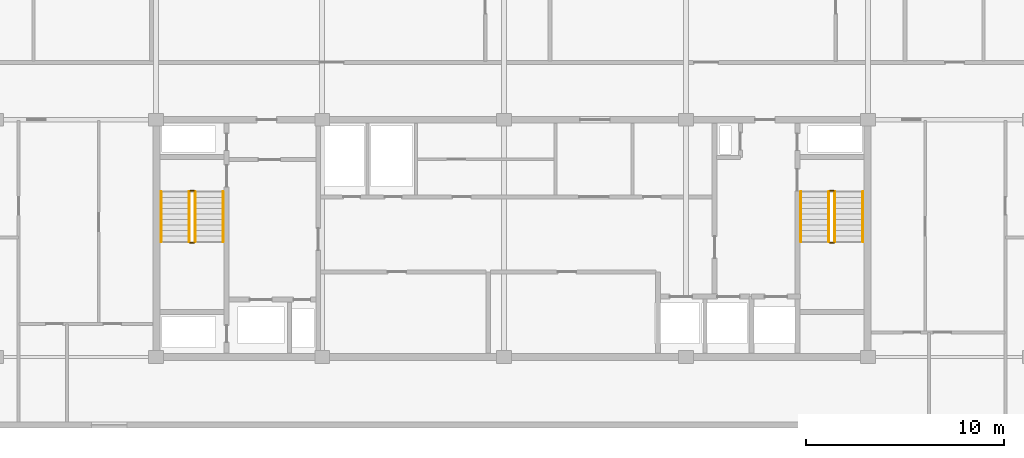
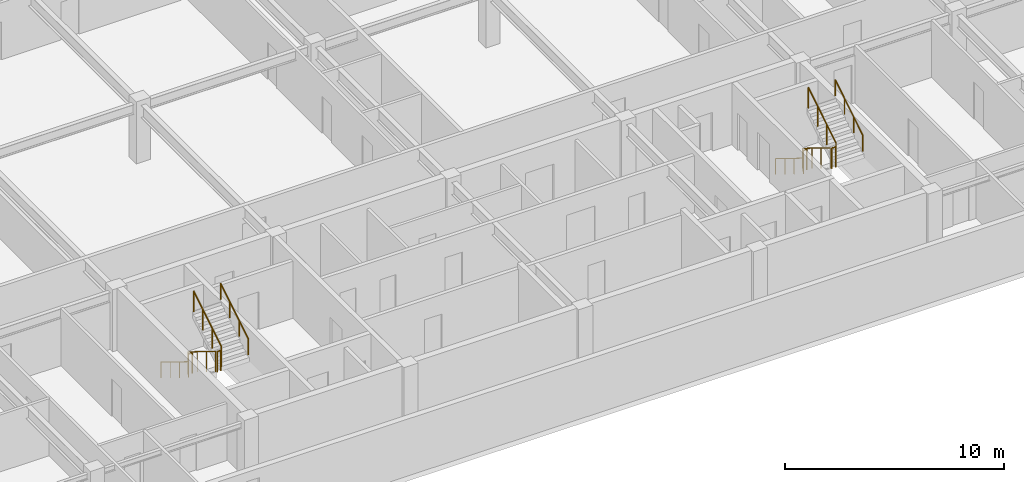
# One storey, part 9 of 10: 12 railings.
"""IFC4 building model written with IfcOpenShell, lengths in metres."""

from ifc_helpers import new_model, si_unit, direction, frame, origin, origin_2d, place, context, subcontext, project, spatial, circle, extrude, material, type_object, element, save


model = new_model("IFC4")

# Units and contexts
model_context = context("Model", 3, precision=1e-05, world=origin(), true_north=direction((0.0, 1.0)))
body_context = subcontext(model_context, "Body", "Model", "MODEL_VIEW")
ifc_project = project(units=[si_unit("LENGTHUNIT", "METRE"), si_unit("AREAUNIT", "SQUARE_METRE"), si_unit("VOLUMEUNIT", "CUBIC_METRE"), si_unit("PLANEANGLEUNIT", "RADIAN"), si_unit("MASSUNIT", "GRAM", prefix="KILO")], contexts=[model_context])

# Site, building, storey
site_placement = place(None, origin())
site = spatial("IfcSite", under=ifc_project, at=site_placement, CompositionType="ELEMENT")
building_placement = place(site_placement, origin())
building = spatial("IfcBuilding", under=site, at=building_placement, Name="Korimba Cascade Residences", CompositionType="ELEMENT")
storey_placement = place(building_placement, frame((0.0, 0.0, 245.89990234375)))
storey = spatial("IfcBuildingStorey", under=building, at=storey_placement, Name="L71", CompositionType="ELEMENT", Elevation=245.89990234375)

# Railings
ifc_material_1 = material(Name="Painted Steel Stairwell Guardrail", Category="steel")
railing_type_1 = type_object("IfcRailingType", Name="RLG-ST-GD1150", PredefinedType="GUARDRAIL", material=ifc_material_1)
railing_1_placement = place(storey_placement, frame((77.77001953125, 63.550048828125, 0.172607421875)))
element("IfcRailing", 1, at=railing_1_placement, inside=storey, type_object=railing_type_1, Name="L71 ST-W1 stair guard 1", PredefinedType="GUARDRAIL", context=body_context, shape_type="SweptSolid", body=[
    extrude(circle(Radius=0.02392578125, at=origin_2d()), frame((0.0, 0.0, 1.1259765625), z_axis=(0.0, -0.851400495292, 0.524516154772), x_axis=(1.0, 0.0, 0.0)), (0.0, 0.0, 1.0), 2.9599609375),
    extrude(circle(Radius=0.02099609375, at=origin_2d()), origin(), (0.0, 0.0, 1.0), 1.101806640625),
    extrude(circle(Radius=0.02099609375, at=origin_2d()), frame((0.0, -0.840087890625, 0.517578125)), (0.0, 0.0, 1.0), 1.101806640625),
    extrude(circle(Radius=0.02099609375, at=origin_2d()), frame((0.0, -1.679931640625, 1.034912109375)), (0.0, 0.0, 1.0), 1.101806640625),
    extrude(circle(Radius=0.02099609375, at=origin_2d()), frame((0.0, -2.52001953125, 1.552490234375)), (0.0, 0.0, 1.0), 1.101806640625),
])
railing_2_placement = place(storey_placement, frame((77.820068359375, 60.97998046875, 1.72509765625)))
element("IfcRailing", 2, at=railing_2_placement, inside=storey, type_object=railing_type_1, Name="L71 ST-W1 stair guard 2", PredefinedType="GUARDRAIL", context=body_context, shape_type="SweptSolid", body=[
    extrude(circle(Radius=0.02392578125, at=origin_2d()), frame((0.0, 0.0, 1.1259765625), z_axis=(1.0, 0.0, 0.0), x_axis=(0.0, 1.0, 0.0)), (0.0, 0.0, 1.0), 0.199951171875),
    extrude(circle(Radius=0.02099609375, at=origin_2d()), origin(), (0.0, 0.0, 1.0), 1.101806640625),
    extrude(circle(Radius=0.02099609375, at=origin_2d()), frame((0.199951171875, 0.0, 0.0)), (0.0, 0.0, 1.0), 1.101806640625),
])
railing_3_placement = place(storey_placement, frame((78.070068359375, 61.030029296875, 1.897705078125)))
element("IfcRailing", 3, at=railing_3_placement, inside=storey, type_object=railing_type_1, Name="L71 ST-W1 stair guard 3", PredefinedType="GUARDRAIL", context=body_context, shape_type="SweptSolid", body=[
    extrude(circle(Radius=0.02392578125, at=origin_2d()), frame((0.0, 0.0, 1.1259765625), z_axis=(0.0, 0.851400495292, 0.524516154772), x_axis=(-1.0, 0.0, 0.0)), (0.0, 0.0, 1.0), 2.9599609375),
    extrude(circle(Radius=0.02099609375, at=origin_2d()), origin(), (0.0, 0.0, 1.0), 1.101806640625),
    extrude(circle(Radius=0.02099609375, at=origin_2d()), frame((0.0, 0.840087890625, 0.517578125)), (0.0, 0.0, 1.0), 1.101806640625),
    extrude(circle(Radius=0.02099609375, at=origin_2d()), frame((0.0, 1.679931640625, 1.034912109375)), (0.0, 0.0, 1.0), 1.101806640625),
    extrude(circle(Radius=0.02099609375, at=origin_2d()), frame((0.0, 2.52001953125, 1.552490234375)), (0.0, 0.0, 1.0), 1.101806640625),
])
railing_4_placement = place(storey_placement, frame((77.820068359375, 63.60009765625, 0.0)))
element("IfcRailing", 4, at=railing_4_placement, inside=storey, type_object=railing_type_1, Name="L71 ST-W1 stair guard 4", PredefinedType="GUARDRAIL", context=body_context, shape_type="SweptSolid", body=[
    extrude(circle(Radius=0.02392578125, at=origin_2d()), frame((0.0, 0.0, 1.1259765625), z_axis=(1.0, 0.0, 0.0), x_axis=(0.0, 1.0, 0.0)), (0.0, 0.0, 1.0), 0.199951171875),
    extrude(circle(Radius=0.02099609375, at=origin_2d()), origin(), (0.0, 0.0, 1.0), 1.101806640625),
    extrude(circle(Radius=0.02099609375, at=origin_2d()), frame((0.199951171875, 0.0, 0.0)), (0.0, 0.0, 1.0), 1.101806640625),
])
railing_5_placement = place(storey_placement, frame((110.1298828125, 63.550048828125, 0.172607421875)))
element("IfcRailing", 5, at=railing_5_placement, inside=storey, type_object=railing_type_1, Name="L71 ST-W2 stair guard 1", PredefinedType="GUARDRAIL", context=body_context, shape_type="SweptSolid", body=[
    extrude(circle(Radius=0.02392578125, at=origin_2d()), frame((0.0, 0.0, 1.1259765625), z_axis=(0.0, -0.851400495292, 0.524516154772), x_axis=(1.0, 0.0, 0.0)), (0.0, 0.0, 1.0), 2.9599609375),
    extrude(circle(Radius=0.02099609375, at=origin_2d()), origin(), (0.0, 0.0, 1.0), 1.101806640625),
    extrude(circle(Radius=0.02099609375, at=origin_2d()), frame((0.0, -0.840087890625, 0.517578125)), (0.0, 0.0, 1.0), 1.101806640625),
    extrude(circle(Radius=0.02099609375, at=origin_2d()), frame((0.0, -1.679931640625, 1.034912109375)), (0.0, 0.0, 1.0), 1.101806640625),
    extrude(circle(Radius=0.02099609375, at=origin_2d()), frame((0.0, -2.52001953125, 1.552490234375)), (0.0, 0.0, 1.0), 1.101806640625),
])
railing_6_placement = place(storey_placement, frame((110.179931640625, 60.97998046875, 1.72509765625)))
element("IfcRailing", 6, at=railing_6_placement, inside=storey, type_object=railing_type_1, Name="L71 ST-W2 stair guard 2", PredefinedType="GUARDRAIL", context=body_context, shape_type="SweptSolid", body=[
    extrude(circle(Radius=0.02392578125, at=origin_2d()), frame((0.0, 0.0, 1.1259765625), z_axis=(1.0, 0.0, 0.0), x_axis=(0.0, 1.0, 0.0)), (0.0, 0.0, 1.0), 0.199951171875),
    extrude(circle(Radius=0.02099609375, at=origin_2d()), origin(), (0.0, 0.0, 1.0), 1.101806640625),
    extrude(circle(Radius=0.02099609375, at=origin_2d()), frame((0.199951171875, 0.0, 0.0)), (0.0, 0.0, 1.0), 1.101806640625),
])
railing_7_placement = place(storey_placement, frame((110.429931640625, 61.030029296875, 1.897705078125)))
element("IfcRailing", 7, at=railing_7_placement, inside=storey, type_object=railing_type_1, Name="L71 ST-W2 stair guard 3", PredefinedType="GUARDRAIL", context=body_context, shape_type="SweptSolid", body=[
    extrude(circle(Radius=0.02392578125, at=origin_2d()), frame((0.0, 0.0, 1.1259765625), z_axis=(0.0, 0.851400495292, 0.524516154772), x_axis=(-1.0, 0.0, 0.0)), (0.0, 0.0, 1.0), 2.9599609375),
    extrude(circle(Radius=0.02099609375, at=origin_2d()), origin(), (0.0, 0.0, 1.0), 1.101806640625),
    extrude(circle(Radius=0.02099609375, at=origin_2d()), frame((0.0, 0.840087890625, 0.517578125)), (0.0, 0.0, 1.0), 1.101806640625),
    extrude(circle(Radius=0.02099609375, at=origin_2d()), frame((0.0, 1.679931640625, 1.034912109375)), (0.0, 0.0, 1.0), 1.101806640625),
    extrude(circle(Radius=0.02099609375, at=origin_2d()), frame((0.0, 2.52001953125, 1.552490234375)), (0.0, 0.0, 1.0), 1.101806640625),
])
railing_8_placement = place(storey_placement, frame((110.179931640625, 63.60009765625, 0.0)))
element("IfcRailing", 8, at=railing_8_placement, inside=storey, type_object=railing_type_1, Name="L71 ST-W2 stair guard 4", PredefinedType="GUARDRAIL", context=body_context, shape_type="SweptSolid", body=[
    extrude(circle(Radius=0.02392578125, at=origin_2d()), frame((0.0, 0.0, 1.1259765625), z_axis=(1.0, 0.0, 0.0), x_axis=(0.0, 1.0, 0.0)), (0.0, 0.0, 1.0), 0.199951171875),
    extrude(circle(Radius=0.02099609375, at=origin_2d()), origin(), (0.0, 0.0, 1.0), 1.101806640625),
    extrude(circle(Radius=0.02099609375, at=origin_2d()), frame((0.199951171875, 0.0, 0.0)), (0.0, 0.0, 1.0), 1.101806640625),
])
ifc_material_2 = material(Name="Brushed Stainless Steel Handrail", Category="steel")
railing_type_2 = type_object("IfcRailingType", Name="RLG-ST-HR900", PredefinedType="HANDRAIL", material=ifc_material_2)
railing_9_placement = place(storey_placement, frame((76.35009765625, 63.550048828125, 0.3486328125)))
element("IfcRailing", 9, at=railing_9_placement, inside=storey, type_object=railing_type_2, Name="L71 ST-W1 stair handrail 1", PredefinedType="HANDRAIL", context=body_context, shape_type="SweptSolid", body=[
    extrude(circle(Radius=0.02392578125, at=origin_2d()), frame((0.0, 0.0, 0.8759765625), z_axis=(0.0, -0.851400495292, 0.524516154772), x_axis=(1.0, 0.0, 0.0)), (0.0, 0.0, 1.0), 2.9599609375),
    extrude(circle(Radius=0.02099609375, at=origin_2d()), origin(), (0.0, 0.0, 1.0), 0.851806640625),
    extrude(circle(Radius=0.02099609375, at=origin_2d()), frame((0.0, -0.840087890625, 0.517578125)), (0.0, 0.0, 1.0), 0.851806640625),
    extrude(circle(Radius=0.02099609375, at=origin_2d()), frame((0.0, -1.679931640625, 1.034912109375)), (0.0, 0.0, 1.0), 0.851806640625),
    extrude(circle(Radius=0.02099609375, at=origin_2d()), frame((0.0, -2.52001953125, 1.552490234375)), (0.0, 0.0, 1.0), 0.851806640625),
])
railing_10_placement = place(storey_placement, frame((79.489990234375, 61.030029296875, 2.07373046875)))
element("IfcRailing", 10, at=railing_10_placement, inside=storey, type_object=railing_type_2, Name="L71 ST-W1 stair handrail 2", PredefinedType="HANDRAIL", context=body_context, shape_type="SweptSolid", body=[
    extrude(circle(Radius=0.02392578125, at=origin_2d()), frame((0.0, 0.0, 0.8759765625), z_axis=(0.0, 0.851400495292, 0.524516154772), x_axis=(-1.0, 0.0, 0.0)), (0.0, 0.0, 1.0), 2.9599609375),
    extrude(circle(Radius=0.02099609375, at=origin_2d()), origin(), (0.0, 0.0, 1.0), 0.851806640625),
    extrude(circle(Radius=0.02099609375, at=origin_2d()), frame((0.0, 0.840087890625, 0.517578125)), (0.0, 0.0, 1.0), 0.851806640625),
    extrude(circle(Radius=0.02099609375, at=origin_2d()), frame((0.0, 1.679931640625, 1.034912109375)), (0.0, 0.0, 1.0), 0.851806640625),
    extrude(circle(Radius=0.02099609375, at=origin_2d()), frame((0.0, 2.52001953125, 1.552490234375)), (0.0, 0.0, 1.0), 0.851806640625),
])
railing_11_placement = place(storey_placement, frame((108.7099609375, 63.550048828125, 0.3486328125)))
element("IfcRailing", 11, at=railing_11_placement, inside=storey, type_object=railing_type_2, Name="L71 ST-W2 stair handrail 1", PredefinedType="HANDRAIL", context=body_context, shape_type="SweptSolid", body=[
    extrude(circle(Radius=0.02392578125, at=origin_2d()), frame((0.0, 0.0, 0.8759765625), z_axis=(0.0, -0.851400495292, 0.524516154772), x_axis=(1.0, 0.0, 0.0)), (0.0, 0.0, 1.0), 2.9599609375),
    extrude(circle(Radius=0.02099609375, at=origin_2d()), origin(), (0.0, 0.0, 1.0), 0.851806640625),
    extrude(circle(Radius=0.02099609375, at=origin_2d()), frame((0.0, -0.840087890625, 0.517578125)), (0.0, 0.0, 1.0), 0.851806640625),
    extrude(circle(Radius=0.02099609375, at=origin_2d()), frame((0.0, -1.679931640625, 1.034912109375)), (0.0, 0.0, 1.0), 0.851806640625),
    extrude(circle(Radius=0.02099609375, at=origin_2d()), frame((0.0, -2.52001953125, 1.552490234375)), (0.0, 0.0, 1.0), 0.851806640625),
])
railing_12_placement = place(storey_placement, frame((111.85009765625, 61.030029296875, 2.07373046875)))
element("IfcRailing", 12, at=railing_12_placement, inside=storey, type_object=railing_type_2, Name="L71 ST-W2 stair handrail 2", PredefinedType="HANDRAIL", context=body_context, shape_type="SweptSolid", body=[
    extrude(circle(Radius=0.02392578125, at=origin_2d()), frame((0.0, 0.0, 0.8759765625), z_axis=(0.0, 0.851400495292, 0.524516154772), x_axis=(-1.0, 0.0, 0.0)), (0.0, 0.0, 1.0), 2.9599609375),
    extrude(circle(Radius=0.02099609375, at=origin_2d()), origin(), (0.0, 0.0, 1.0), 0.851806640625),
    extrude(circle(Radius=0.02099609375, at=origin_2d()), frame((0.0, 0.840087890625, 0.517578125)), (0.0, 0.0, 1.0), 0.851806640625),
    extrude(circle(Radius=0.02099609375, at=origin_2d()), frame((0.0, 1.679931640625, 1.034912109375)), (0.0, 0.0, 1.0), 0.851806640625),
    extrude(circle(Radius=0.02099609375, at=origin_2d()), frame((0.0, 2.52001953125, 1.552490234375)), (0.0, 0.0, 1.0), 0.851806640625),
])

save(model, "model.ifc")
